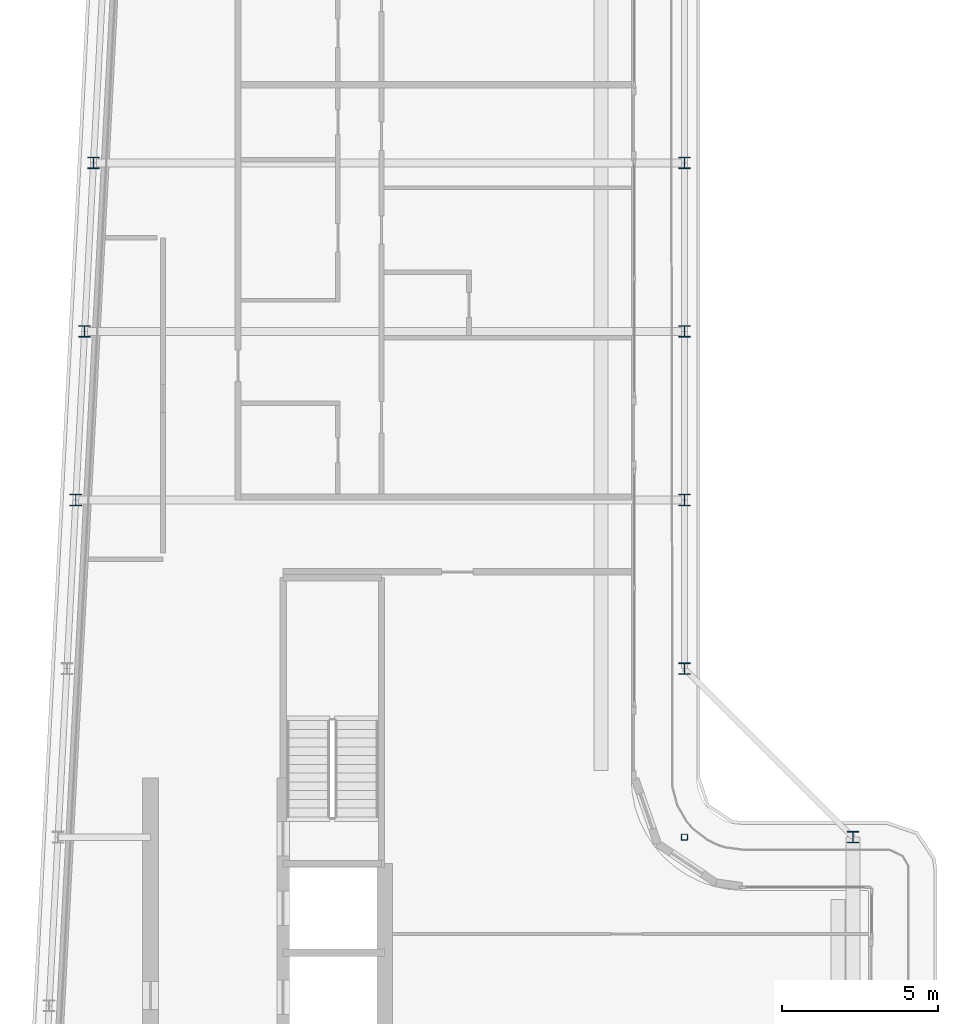
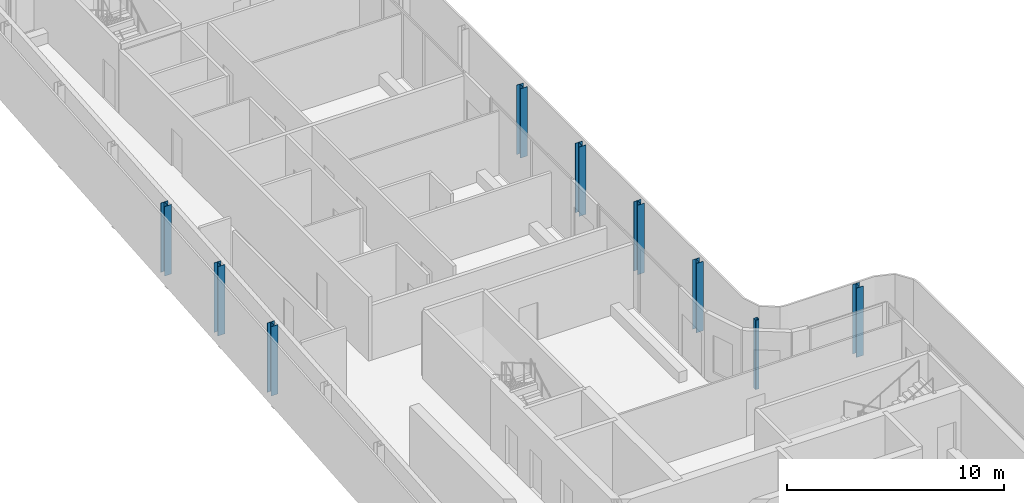
# One storey, part 2 of 17: 9 columns.
"""IFC4 building model written with IfcOpenShell, lengths in metres."""

from ifc_helpers import new_model, si_unit, direction, frame, origin, origin_2d, place, context, subcontext, project, spatial, hollow_rectangle, i_section, extrude, material, material_profile, profile_set, type_object, element, save


model = new_model("IFC4")

# Units and contexts
model_context = context("Model", 3, precision=1e-05, world=origin(), true_north=direction((0.0, 1.0)))
body_context = subcontext(model_context, "Body", "Model", "MODEL_VIEW")
ifc_project = project(units=[si_unit("LENGTHUNIT", "METRE"), si_unit("AREAUNIT", "SQUARE_METRE"), si_unit("VOLUMEUNIT", "CUBIC_METRE"), si_unit("PLANEANGLEUNIT", "RADIAN"), si_unit("MASSUNIT", "GRAM", prefix="KILO")], contexts=[model_context])

# Site, building, storey
site_placement = place(None, origin())
site = spatial("IfcSite", under=ifc_project, at=site_placement, CompositionType="ELEMENT")
building_placement = place(site_placement, origin())
building = spatial("IfcBuilding", under=site, at=building_placement, Name="Kheshtan School and Residences Tower", CompositionType="ELEMENT")
storey_placement = place(building_placement, frame((0.0, 0.0, 342.199951171875)))
storey = spatial("IfcBuildingStorey", under=building, at=storey_placement, Name="L80", CompositionType="ELEMENT", Elevation=342.199951171875)

# Columns
ifc_material_1 = material(Name="Steel ASTM A992 Grade 50", Category="steel")
ifc_material_profile_1 = material_profile(ifc_material_1, i_section(OverallWidth=0.37109375, OverallDepth=0.364013671875, WebThickness=0.01318359375, FlangeThickness=0.021728515625, FilletRadius=0.010986328125, at=origin_2d()), Name="W360x162")
ifc_profile_set_1 = profile_set([ifc_material_profile_1], Name="Steel ASTM A992 Grade 50")
column_type_1 = type_object("IfcColumnType", Name="Column C6 W360x162 ASTM A992 Grade 50", PredefinedType="COLUMN", material=ifc_profile_set_1)
for number, where, z_axis, x_axis, name in (
    (1, (53.0, 45.60009765625, 0.0), (0.0, 0.0, 1.0), (1.0, 0.0, 0.0), "Column C061"),
    (2, (47.60009765625, 51.0, 0.0), (0.0, 0.0, 1.0), (1.0, 0.0, 0.0), "Column C079"),
    (3, (28.10595703125, 56.39990234375, 0.0), (0.0, 0.0, 1.0), (1.0, 0.0, 0.0), "Column C080"),
    (4, (47.60009765625, 56.39990234375, 0.0), (0.0, 0.0, 1.0), (1.0, 0.0, 0.0), "Column C081"),
    (5, (28.389892578125, 61.800048828125, 0.0), (0.0, 0.0, 1.0), (1.0, 0.0, 0.0), "Column C082"),
    (6, (47.60009765625, 61.800048828125, 0.0), (0.0, 0.0, 1.0), (1.0, 0.0, 0.0), "Column C083"),
    (7, (28.674072265625, 67.199951171875, 0.0), (0.0, 0.0, 1.0), (1.0, 0.0, 0.0), "Column C084"),
    (8, (47.60009765625, 67.199951171875, 0.0), (0.0, 0.0, 1.0), (1.0, 0.0, 0.0), "Column C085"),
):
    element("IfcColumn", number, at=place(storey_placement, frame(where, z_axis=z_axis, x_axis=x_axis)), inside=storey, type_object=column_type_1, Name=name, PredefinedType="COLUMN", context=body_context, shape_type="SweptSolid", body=[
        extrude(i_section(OverallWidth=0.37109375, OverallDepth=0.364013671875, WebThickness=0.01318359375, FlangeThickness=0.021728515625, FilletRadius=0.010986328125, at=origin_2d()), origin(), (0.0, 0.0, 1.0), 3.900146484375),
    ])
ifc_material_2 = material(Name="Steel ASTM A500 Grade C", Category="steel")
ifc_material_profile_2 = material_profile(ifc_material_2, hollow_rectangle(XDim=0.202880859375, YDim=0.202880859375, WallThickness=0.0126953125, InnerFilletRadius=0.0126953125, OuterFilletRadius=0.025390625, at=origin_2d()), Name="HSS 203x203x12.7")
ifc_profile_set_2 = profile_set([ifc_material_profile_2], Name="Steel ASTM A500 Grade C")
column_type_2 = type_object("IfcColumnType", Name="Column IC4 HSS 203x203x12.7 ASTM A500 Grade C", PredefinedType="COLUMN", material=ifc_profile_set_2)
column_placement = place(storey_placement, frame((47.60009765625, 45.60009765625, 0.0), z_axis=(0.0, 0.0, 1.0), x_axis=(1.0, 0.0, 0.0)))
element("IfcColumn", 9, at=column_placement, inside=storey, type_object=column_type_2, Name="Column C060", PredefinedType="COLUMN", context=body_context, shape_type="SweptSolid", body=[
    extrude(hollow_rectangle(XDim=0.202880859375, YDim=0.202880859375, WallThickness=0.0126953125, InnerFilletRadius=0.0126953125, OuterFilletRadius=0.025390625, at=origin_2d()), origin(), (0.0, 0.0, 1.0), 3.900146484375),
])

save(model, "model.ifc")
